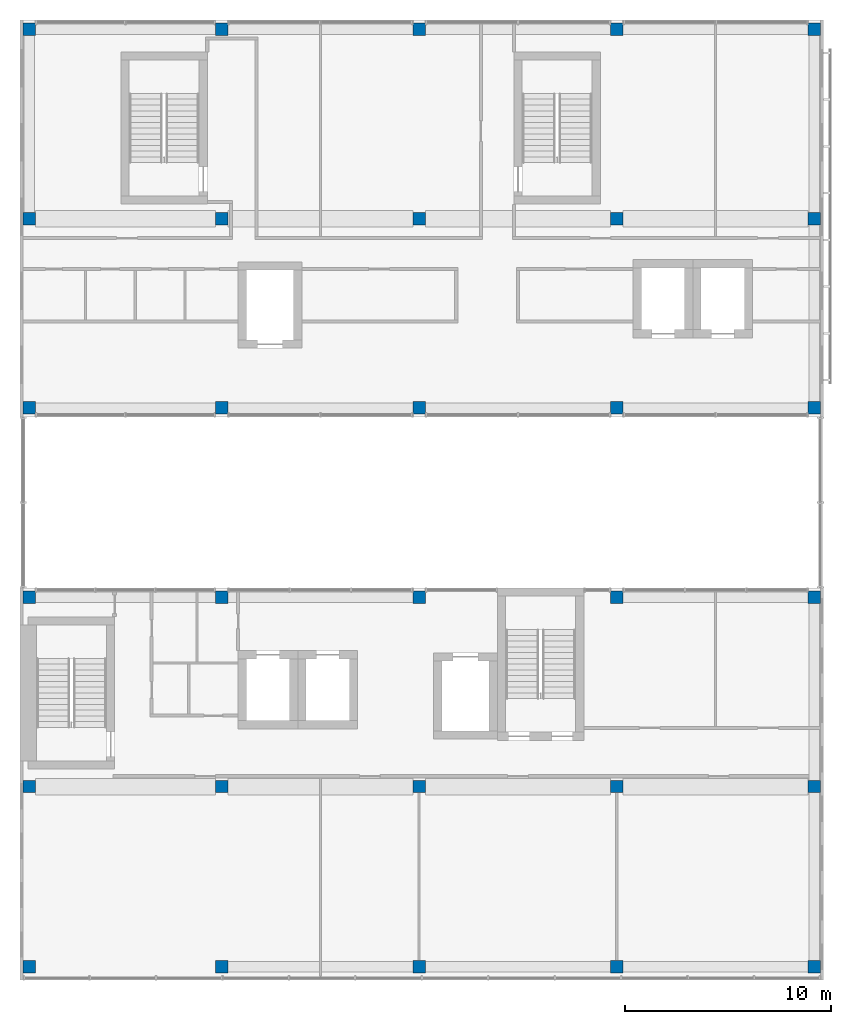
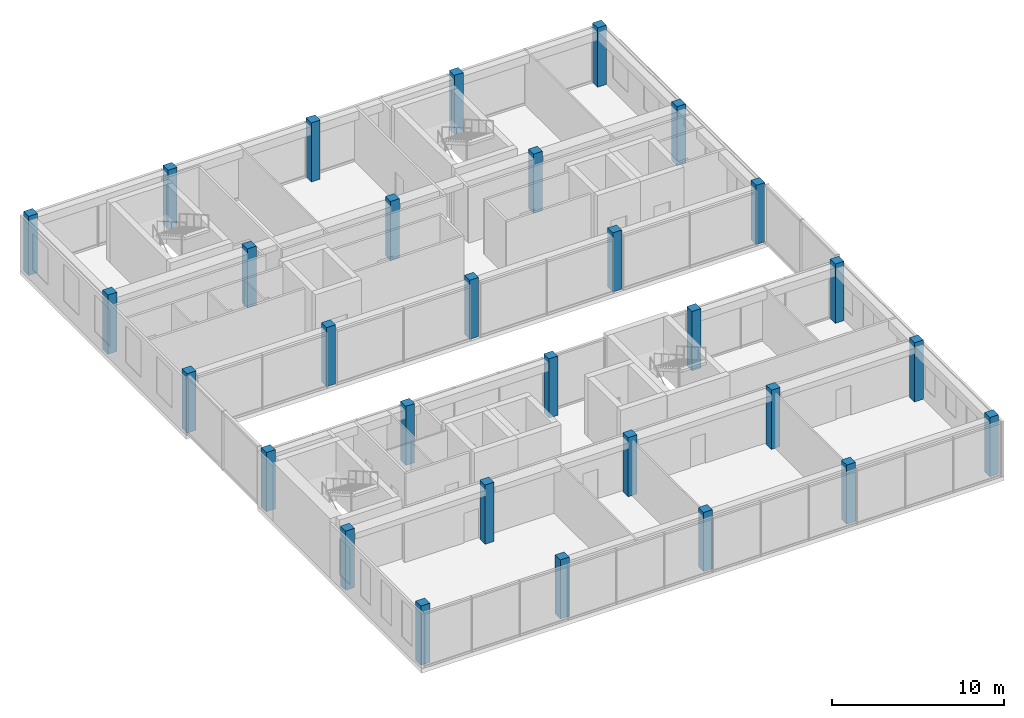
# One storey, part 1 of 28: 30 columns.
"""IFC4 building model written with IfcOpenShell, lengths in metres."""

from ifc_helpers import new_model, si_unit, direction, frame, origin, origin_2d, place, context, subcontext, project, spatial, rectangle, extrude, material, material_profile, profile_set, type_object, element, save


model = new_model("IFC4")

# Units and contexts
model_context = context("Model", 3, precision=1e-05, world=origin(), true_north=direction((0.0, 1.0)))
body_context = subcontext(model_context, "Body", "Model", "MODEL_VIEW")
ifc_project = project(units=[si_unit("LENGTHUNIT", "METRE"), si_unit("AREAUNIT", "SQUARE_METRE"), si_unit("VOLUMEUNIT", "CUBIC_METRE"), si_unit("PLANEANGLEUNIT", "RADIAN"), si_unit("MASSUNIT", "GRAM", prefix="KILO")], contexts=[model_context])

# Site, building, storey
site_placement = place(None, origin())
site = spatial("IfcSite", under=ifc_project, at=site_placement, CompositionType="ELEMENT")
building_placement = place(site_placement, origin())
building = spatial("IfcBuilding", under=site, at=building_placement, Name="Nzadi Deep Aquarium and Research Tower", CompositionType="ELEMENT")
storey_placement = place(building_placement, frame((0.0, 0.0, 73.89990234375)))
storey = spatial("IfcBuildingStorey", under=building, at=storey_placement, Name="L15", CompositionType="ELEMENT", Elevation=73.89990234375)

# Columns
ifc_material = material(Name="Concrete C40/50", Category="concrete")
ifc_material_profile = material_profile(ifc_material, rectangle(XDim=0.60009765625, YDim=0.60009765625, at=origin_2d()))
ifc_profile_set = profile_set([ifc_material_profile], Name="Concrete C40/50")
column_type = type_object("IfcColumnType", Name="RC 600x600", PredefinedType="COLUMN", material=ifc_profile_set)
for number, where, z_axis, x_axis, name in (
    (1, (0.25, 0.449951171875, 0.0), (0.0, 0.0, 1.0), (1.0, 0.0, 0.0), "C-Z1-L15-A1"),
    (2, (9.60009765625, 0.449951171875, 0.0), (0.0, 0.0, 1.0), (1.0, 0.0, 0.0), "C-Z1-L15-B1"),
    (3, (19.199951171875, 0.449951171875, 0.0), (0.0, 0.0, 1.0), (1.0, 0.0, 0.0), "C-Z1-L15-C1"),
    (4, (28.800048828125, 0.449951171875, 0.0), (0.0, 0.0, 1.0), (1.0, 0.0, 0.0), "C-Z1-L15-D1"),
    (5, (38.39990234375, 0.449951171875, 0.0), (0.0, 0.0, 1.0), (1.0, 0.0, 0.0), "C-Z1-L15-E1"),
    (6, (0.25, 9.199951171875, 0.0), (0.0, 0.0, 1.0), (1.0, 0.0, 0.0), "C-Z1-L15-A2"),
    (7, (9.60009765625, 9.199951171875, 0.0), (0.0, 0.0, 1.0), (1.0, 0.0, 0.0), "C-Z1-L15-B2"),
    (8, (19.199951171875, 9.199951171875, 0.0), (0.0, 0.0, 1.0), (1.0, 0.0, 0.0), "C-Z1-L15-C2"),
    (9, (28.800048828125, 9.199951171875, 0.0), (0.0, 0.0, 1.0), (1.0, 0.0, 0.0), "C-Z1-L15-D2"),
    (10, (38.39990234375, 9.199951171875, 0.0), (0.0, 0.0, 1.0), (1.0, 0.0, 0.0), "C-Z1-L15-E2"),
    (11, (0.25, 18.39990234375, 0.0), (0.0, 0.0, 1.0), (1.0, 0.0, 0.0), "C-Z1-L15-A3"),
    (12, (9.60009765625, 18.39990234375, 0.0), (0.0, 0.0, 1.0), (1.0, 0.0, 0.0), "C-Z1-L15-B3"),
    (13, (19.199951171875, 18.39990234375, 0.0), (0.0, 0.0, 1.0), (1.0, 0.0, 0.0), "C-Z1-L15-C3"),
    (14, (28.800048828125, 18.39990234375, 0.0), (0.0, 0.0, 1.0), (1.0, 0.0, 0.0), "C-Z1-L15-D3"),
    (15, (38.39990234375, 18.39990234375, 0.0), (0.0, 0.0, 1.0), (1.0, 0.0, 0.0), "C-Z1-L15-E3"),
    (16, (0.25, 27.60009765625, 0.0), (0.0, 0.0, 1.0), (1.0, 0.0, 0.0), "C-Z1-L15-A4"),
    (17, (9.60009765625, 27.60009765625, 0.0), (0.0, 0.0, 1.0), (1.0, 0.0, 0.0), "C-Z1-L15-B4"),
    (18, (19.199951171875, 27.60009765625, 0.0), (0.0, 0.0, 1.0), (1.0, 0.0, 0.0), "C-Z1-L15-C4"),
    (19, (28.800048828125, 27.60009765625, 0.0), (0.0, 0.0, 1.0), (1.0, 0.0, 0.0), "C-Z1-L15-D4"),
    (20, (38.39990234375, 27.60009765625, 0.0), (0.0, 0.0, 1.0), (1.0, 0.0, 0.0), "C-Z1-L15-E4"),
    (21, (0.25, 36.800048828125, 0.0), (0.0, 0.0, 1.0), (1.0, 0.0, 0.0), "C-Z1-L15-A5"),
    (22, (9.60009765625, 36.800048828125, 0.0), (0.0, 0.0, 1.0), (1.0, 0.0, 0.0), "C-Z1-L15-B5"),
    (23, (19.199951171875, 36.800048828125, 0.0), (0.0, 0.0, 1.0), (1.0, 0.0, 0.0), "C-Z1-L15-C5"),
    (24, (28.800048828125, 36.800048828125, 0.0), (0.0, 0.0, 1.0), (1.0, 0.0, 0.0), "C-Z1-L15-D5"),
    (25, (38.39990234375, 36.800048828125, 0.0), (0.0, 0.0, 1.0), (1.0, 0.0, 0.0), "C-Z1-L15-E5"),
    (26, (0.25, 46.0, 0.0), (0.0, 0.0, 1.0), (1.0, 0.0, 0.0), "C-Z1-L15-A6"),
    (27, (9.60009765625, 46.0, 0.0), (0.0, 0.0, 1.0), (1.0, 0.0, 0.0), "C-Z1-L15-B6"),
    (28, (19.199951171875, 46.0, 0.0), (0.0, 0.0, 1.0), (1.0, 0.0, 0.0), "C-Z1-L15-C6"),
    (29, (28.800048828125, 46.0, 0.0), (0.0, 0.0, 1.0), (1.0, 0.0, 0.0), "C-Z1-L15-D6"),
    (30, (38.39990234375, 46.0, 0.0), (0.0, 0.0, 1.0), (1.0, 0.0, 0.0), "C-Z1-L15-E6"),
):
    element("IfcColumn", number, at=place(storey_placement, frame(where, z_axis=z_axis, x_axis=x_axis)), inside=storey, type_object=column_type, Name=name, PredefinedType="COLUMN", context=body_context, shape_type="SweptSolid", body=[
        extrude(rectangle(XDim=0.60009765625, YDim=0.60009765625, at=origin_2d()), origin(), (0.0, 0.0, 1.0), 4.2001953125),
    ])

save(model, "model.ifc")
